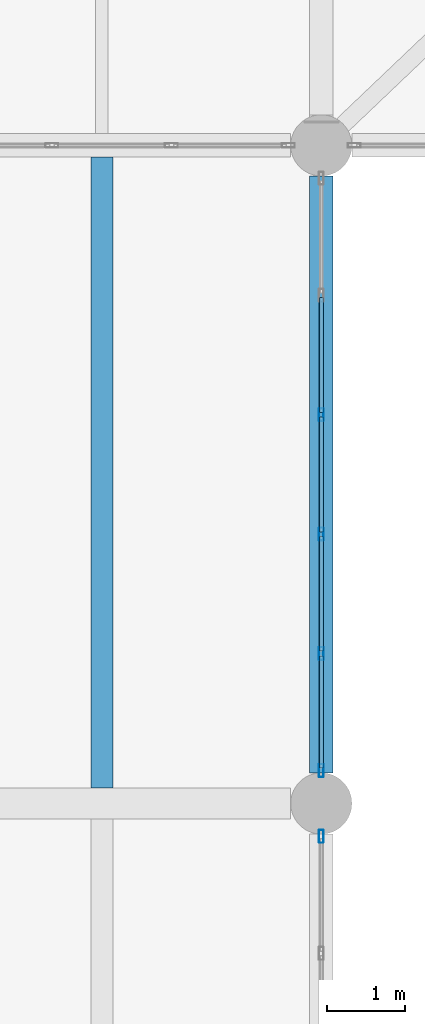
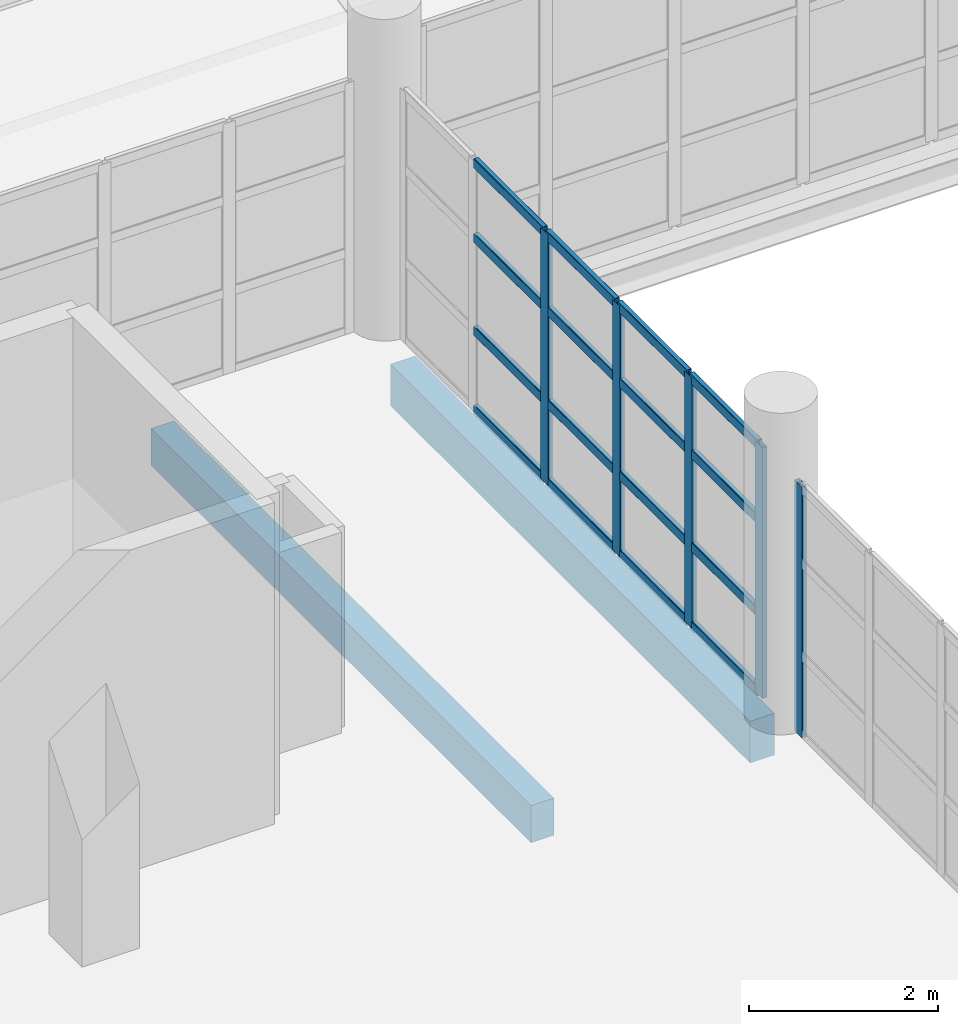
# One storey, part 96 of 177: 21 members, 2 beams, 2 elements without a shape of their own.
"""IFC4 building model written with IfcOpenShell, lengths in metres."""

from ifc_helpers import new_model, si_unit, direction, frame, origin, origin_2d, place, context, subcontext, project, spatial, rectangle, hollow_rectangle, extrude, material, layer, layer_set, material_profile, profile_set, type_object, element, aggregate, save


model = new_model("IFC4")

# Units and contexts
model_context = context("Model", 3, precision=1e-05, world=origin(), true_north=direction((0.0, 1.0)))
body_context = subcontext(model_context, "Body", "Model", "MODEL_VIEW")
ifc_project = project(units=[si_unit("LENGTHUNIT", "METRE"), si_unit("AREAUNIT", "SQUARE_METRE"), si_unit("VOLUMEUNIT", "CUBIC_METRE"), si_unit("PLANEANGLEUNIT", "RADIAN"), si_unit("MASSUNIT", "GRAM", prefix="KILO"), si_unit("THERMODYNAMICTEMPERATUREUNIT", "KELVIN"), si_unit("POWERUNIT", "WATT")], contexts=[model_context])

# Site, building, storey
site_placement = place(None, origin())
site = spatial("IfcSite", under=ifc_project, at=site_placement, CompositionType="ELEMENT")
building_placement = place(site_placement, origin())
building = spatial("IfcBuilding", under=site, at=building_placement, Name="Mavoryth Pier Ferry Terminal", CompositionType="ELEMENT")
storey_placement = place(building_placement, frame((0.0, 0.0, 5.43994140625)))
storey = spatial("IfcBuildingStorey", under=building, at=storey_placement, Name="L01", CompositionType="ELEMENT", Elevation=5.43994140625)

# Beam
ifc_material_1 = material(Name="Concrete C35/45", Category="concrete")
ifc_material_profile_1 = material_profile(ifc_material_1, rectangle(XDim=0.280029296875, YDim=0.47998046875, at=origin_2d()), Name="RC 280x480", Category="concrete")
ifc_profile_set_1 = profile_set([ifc_material_profile_1], Name="Concrete C35/45 - RC 280x480")
beam_type_1 = type_object("IfcBeamType", Name="Joist-RC-280x480", PredefinedType="JOIST", material=ifc_profile_set_1)
beam_1_placement = place(storey_placement, frame((89.60009765625, 97.800048828125, -0.52001953125), z_axis=(0.0, 1.0, 0.0), x_axis=(-1.0, 0.0, 0.0)))
element("IfcBeam", 1, at=beam_1_placement, inside=storey, type_object=beam_type_1, Name="Beam B01-BJ02-0258", PredefinedType="JOIST", context=body_context, shape_type="SweptSolid", body=[
    extrude(rectangle(XDim=0.280029296875, YDim=0.47998046875, at=origin_2d()), origin(), (0.0, 0.0, 1.0), 8.050048828125),
])

# Curtain wall, member
ifc_material_2 = material(Name="Anodised Aluminium and Solar-Control Low-E Glass", Category="aluminium")
ifc_layer = layer(ifc_material_2, 0.159912109375, Name="Anodised Aluminium and Solar-Control Low-E Glass", Category="aluminium")
ifc_layer_set = layer_set([ifc_layer], Name="Anodised Aluminium and Solar-Control Low-E Glass - CW-Arrivals-Mod1400")
curtain_wall_type = type_object("IfcCurtainWallType", Name="CW-Arrivals-Mod1400", PredefinedType="USERDEFINED", material=ifc_layer_set)
curtain_wall_1_placement = place(storey_placement, origin())
curtain_wall_1 = element("IfcCurtainWall", 2, at=curtain_wall_1_placement, inside=storey, type_object=curtain_wall_type, Name="Curtain Wall CW-0122-068", ObjectType="UNITISED CURTAIN WALL", PredefinedType="USERDEFINED")
ifc_material_3 = material(Name="Anodised Aluminium EN AW-6063", Category="aluminium")
ifc_material_profile_2 = material_profile(ifc_material_3, hollow_rectangle(XDim=0.06005859375, YDim=0.1650390625, WallThickness=0.00390625, InnerFilletRadius=0.00390625, OuterFilletRadius=0.008056640625, at=origin_2d()), Name="AL-MULL 165x60x4", Category="aluminium")
ifc_profile_set_2 = profile_set([ifc_material_profile_2], Name="Anodised Aluminium EN AW-6063 - AL-MULL 165x60x4")
member_type_1 = type_object("IfcMemberType", Name="Mullion-Alum-165x60", PredefinedType="MULLION", material=ifc_profile_set_2)
member_1_placement = place(storey_placement, frame((92.39990234375, 97.179931640625, 0.0), z_axis=(0.0, 0.0, 1.0), x_axis=(-1.0, 0.0, 0.0)))
member_1 = element("IfcMember", 3, at=member_1_placement, type_object=member_type_1, Name="CW04 mullion 6", PredefinedType="MULLION", context=body_context, shape_type="SweptSolid", body=[
    extrude(hollow_rectangle(XDim=0.06005859375, YDim=0.1650390625, WallThickness=0.00390625, InnerFilletRadius=0.00390625, OuterFilletRadius=0.008056640625, at=origin_2d()), origin(), (0.0, 0.0, 1.0), 3.2451171875),
])
aggregate(curtain_wall_1, [member_1])

# Curtain wall, members
curtain_wall_2_placement = place(storey_placement, origin())
curtain_wall_2 = element("IfcCurtainWall", 4, at=curtain_wall_2_placement, inside=storey, type_object=curtain_wall_type, Name="Curtain Wall CW-0122-070", ObjectType="UNITISED CURTAIN WALL", PredefinedType="USERDEFINED")
member_2_placement = place(storey_placement, frame((92.39990234375, 98.02001953125, 0.0), z_axis=(0.0, 0.0, 1.0), x_axis=(-1.0, 0.0, 0.0)))
member_2 = element("IfcMember", 5, at=member_2_placement, type_object=member_type_1, Name="CW04 mullion 1", PredefinedType="MULLION", context=body_context, shape_type="SweptSolid", body=[
    extrude(hollow_rectangle(XDim=0.06005859375, YDim=0.1650390625, WallThickness=0.00390625, InnerFilletRadius=0.00390625, OuterFilletRadius=0.008056640625, at=origin_2d()), origin(), (0.0, 0.0, 1.0), 3.2451171875),
])
member_3_placement = place(storey_placement, frame((92.39990234375, 99.513916015625, 0.0), z_axis=(0.0, 0.0, 1.0), x_axis=(-1.0, 0.0, 0.0)))
member_3 = element("IfcMember", 6, at=member_3_placement, type_object=member_type_1, Name="CW04 mullion 2", PredefinedType="MULLION", context=body_context, shape_type="SweptSolid", body=[
    extrude(hollow_rectangle(XDim=0.06005859375, YDim=0.1650390625, WallThickness=0.00390625, InnerFilletRadius=0.00390625, OuterFilletRadius=0.008056640625, at=origin_2d()), origin(), (0.0, 0.0, 1.0), 3.2451171875),
])
member_4_placement = place(storey_placement, frame((92.39990234375, 101.0380859375, 0.0), z_axis=(0.0, 0.0, 1.0), x_axis=(-1.0, 0.0, 0.0)))
member_4 = element("IfcMember", 7, at=member_4_placement, type_object=member_type_1, Name="CW04 mullion 3", PredefinedType="MULLION", context=body_context, shape_type="SweptSolid", body=[
    extrude(hollow_rectangle(XDim=0.06005859375, YDim=0.1650390625, WallThickness=0.00390625, InnerFilletRadius=0.00390625, OuterFilletRadius=0.008056640625, at=origin_2d()), origin(), (0.0, 0.0, 1.0), 3.2451171875),
])
member_5_placement = place(storey_placement, frame((92.39990234375, 102.56201171875, 0.0), z_axis=(0.0, 0.0, 1.0), x_axis=(-1.0, 0.0, 0.0)))
member_5 = element("IfcMember", 8, at=member_5_placement, type_object=member_type_1, Name="CW04 mullion 4", PredefinedType="MULLION", context=body_context, shape_type="SweptSolid", body=[
    extrude(hollow_rectangle(XDim=0.06005859375, YDim=0.1650390625, WallThickness=0.00390625, InnerFilletRadius=0.00390625, OuterFilletRadius=0.008056640625, at=origin_2d()), origin(), (0.0, 0.0, 1.0), 3.2451171875),
])

# Beam
ifc_material_profile_3 = material_profile(ifc_material_1, rectangle(XDim=0.300048828125, YDim=0.5400390625, at=origin_2d()), Name="RC 300x540", Category="concrete")
ifc_profile_set_3 = profile_set([ifc_material_profile_3], Name="Concrete C35/45 - RC 300x540")
beam_type_2 = type_object("IfcBeamType", Name="Spandrel-RC-300x540", PredefinedType="SPANDREL", material=ifc_profile_set_3)
beam_2_placement = place(storey_placement, frame((92.39990234375, 97.989990234375, -0.550048828125), z_axis=(0.0, 1.0, 0.0), x_axis=(-1.0, 0.0, 0.0)))
element("IfcBeam", 9, at=beam_2_placement, inside=storey, type_object=beam_type_2, Name="Beam B01-SP02-0226", PredefinedType="SPANDREL", context=body_context, shape_type="SweptSolid", body=[
    extrude(rectangle(XDim=0.300048828125, YDim=0.5400390625, at=origin_2d()), origin(), (0.0, 0.0, 1.0), 7.6201171875),
])

# Member
ifc_material_profile_4 = material_profile(ifc_material_3, hollow_rectangle(XDim=0.06005859375, YDim=0.125, WallThickness=0.00390625, InnerFilletRadius=0.00390625, OuterFilletRadius=0.008056640625, at=origin_2d()), Name="AL-TRAN 125x60x4", Category="aluminium")
ifc_profile_set_4 = profile_set([ifc_material_profile_4], Name="Anodised Aluminium EN AW-6063 - AL-TRAN 125x60x4")
member_type_2 = type_object("IfcMemberType", Name="Transom-Alum-125x60", PredefinedType="USERDEFINED", material=ifc_profile_set_4)
member_6_placement = place(storey_placement, frame((92.39990234375, 98.050048828125, 0.030029296875), z_axis=(0.0, 1.0, 0.0), x_axis=(-1.0, 0.0, 0.0)))
member_6 = element("IfcMember", 10, at=member_6_placement, type_object=member_type_2, Name="CW04 transom 1.1", ObjectType="TRANSOM", PredefinedType="USERDEFINED", context=body_context, shape_type="SweptSolid", body=[
    extrude(hollow_rectangle(XDim=0.06005859375, YDim=0.125, WallThickness=0.00390625, InnerFilletRadius=0.00390625, OuterFilletRadius=0.008056640625, at=origin_2d()), origin(), (0.0, 0.0, 1.0), 1.433837890625),
])

member_7_placement = place(storey_placement, frame((92.39990234375, 98.050048828125, 1.050048828125), z_axis=(0.0, 1.0, 0.0), x_axis=(-1.0, 0.0, 0.0)))
member_7 = element("IfcMember", 11, at=member_7_placement, type_object=member_type_2, Name="CW04 transom 1.2", ObjectType="TRANSOM", PredefinedType="USERDEFINED", context=body_context, shape_type="SweptSolid", body=[
    extrude(hollow_rectangle(XDim=0.06005859375, YDim=0.125, WallThickness=0.00390625, InnerFilletRadius=0.00390625, OuterFilletRadius=0.008056640625, at=origin_2d()), origin(), (0.0, 0.0, 1.0), 1.433837890625),
])

member_8_placement = place(storey_placement, frame((92.39990234375, 98.050048828125, 2.25), z_axis=(0.0, 1.0, 0.0), x_axis=(-1.0, 0.0, 0.0)))
member_8 = element("IfcMember", 12, at=member_8_placement, type_object=member_type_2, Name="CW04 transom 1.3", ObjectType="TRANSOM", PredefinedType="USERDEFINED", context=body_context, shape_type="SweptSolid", body=[
    extrude(hollow_rectangle(XDim=0.06005859375, YDim=0.125, WallThickness=0.00390625, InnerFilletRadius=0.00390625, OuterFilletRadius=0.008056640625, at=origin_2d()), origin(), (0.0, 0.0, 1.0), 1.433837890625),
])

member_9_placement = place(storey_placement, frame((92.39990234375, 98.050048828125, 3.215087890625), z_axis=(0.0, 1.0, 0.0), x_axis=(-1.0, 0.0, 0.0)))
member_9 = element("IfcMember", 13, at=member_9_placement, type_object=member_type_2, Name="CW04 transom 1.4", ObjectType="TRANSOM", PredefinedType="USERDEFINED", context=body_context, shape_type="SweptSolid", body=[
    extrude(hollow_rectangle(XDim=0.06005859375, YDim=0.125, WallThickness=0.00390625, InnerFilletRadius=0.00390625, OuterFilletRadius=0.008056640625, at=origin_2d()), origin(), (0.0, 0.0, 1.0), 1.433837890625),
])

member_10_placement = place(storey_placement, frame((92.39990234375, 99.5439453125, 0.030029296875), z_axis=(0.0, 1.0, 0.0), x_axis=(-1.0, 0.0, 0.0)))
member_10 = element("IfcMember", 14, at=member_10_placement, type_object=member_type_2, Name="CW04 transom 2.1", ObjectType="TRANSOM", PredefinedType="USERDEFINED", context=body_context, shape_type="SweptSolid", body=[
    extrude(hollow_rectangle(XDim=0.06005859375, YDim=0.125, WallThickness=0.00390625, InnerFilletRadius=0.00390625, OuterFilletRadius=0.008056640625, at=origin_2d()), origin(), (0.0, 0.0, 1.0), 1.464111328125),
])

member_11_placement = place(storey_placement, frame((92.39990234375, 99.5439453125, 1.050048828125), z_axis=(0.0, 1.0, 0.0), x_axis=(-1.0, 0.0, 0.0)))
member_11 = element("IfcMember", 15, at=member_11_placement, type_object=member_type_2, Name="CW04 transom 2.2", ObjectType="TRANSOM", PredefinedType="USERDEFINED", context=body_context, shape_type="SweptSolid", body=[
    extrude(hollow_rectangle(XDim=0.06005859375, YDim=0.125, WallThickness=0.00390625, InnerFilletRadius=0.00390625, OuterFilletRadius=0.008056640625, at=origin_2d()), origin(), (0.0, 0.0, 1.0), 1.464111328125),
])

member_12_placement = place(storey_placement, frame((92.39990234375, 99.5439453125, 2.25), z_axis=(0.0, 1.0, 0.0), x_axis=(-1.0, 0.0, 0.0)))
member_12 = element("IfcMember", 16, at=member_12_placement, type_object=member_type_2, Name="CW04 transom 2.3", ObjectType="TRANSOM", PredefinedType="USERDEFINED", context=body_context, shape_type="SweptSolid", body=[
    extrude(hollow_rectangle(XDim=0.06005859375, YDim=0.125, WallThickness=0.00390625, InnerFilletRadius=0.00390625, OuterFilletRadius=0.008056640625, at=origin_2d()), origin(), (0.0, 0.0, 1.0), 1.464111328125),
])

member_13_placement = place(storey_placement, frame((92.39990234375, 99.5439453125, 3.215087890625), z_axis=(0.0, 1.0, 0.0), x_axis=(-1.0, 0.0, 0.0)))
member_13 = element("IfcMember", 17, at=member_13_placement, type_object=member_type_2, Name="CW04 transom 2.4", ObjectType="TRANSOM", PredefinedType="USERDEFINED", context=body_context, shape_type="SweptSolid", body=[
    extrude(hollow_rectangle(XDim=0.06005859375, YDim=0.125, WallThickness=0.00390625, InnerFilletRadius=0.00390625, OuterFilletRadius=0.008056640625, at=origin_2d()), origin(), (0.0, 0.0, 1.0), 1.464111328125),
])

member_14_placement = place(storey_placement, frame((92.39990234375, 101.068115234375, 0.030029296875), z_axis=(0.0, 1.0, 0.0), x_axis=(-1.0, 0.0, 0.0)))
member_14 = element("IfcMember", 18, at=member_14_placement, type_object=member_type_2, Name="CW04 transom 3.1", ObjectType="TRANSOM", PredefinedType="USERDEFINED", context=body_context, shape_type="SweptSolid", body=[
    extrude(hollow_rectangle(XDim=0.06005859375, YDim=0.125, WallThickness=0.00390625, InnerFilletRadius=0.00390625, OuterFilletRadius=0.008056640625, at=origin_2d()), origin(), (0.0, 0.0, 1.0), 1.4638671875),
])

member_15_placement = place(storey_placement, frame((92.39990234375, 101.068115234375, 1.050048828125), z_axis=(0.0, 1.0, 0.0), x_axis=(-1.0, 0.0, 0.0)))
member_15 = element("IfcMember", 19, at=member_15_placement, type_object=member_type_2, Name="CW04 transom 3.2", ObjectType="TRANSOM", PredefinedType="USERDEFINED", context=body_context, shape_type="SweptSolid", body=[
    extrude(hollow_rectangle(XDim=0.06005859375, YDim=0.125, WallThickness=0.00390625, InnerFilletRadius=0.00390625, OuterFilletRadius=0.008056640625, at=origin_2d()), origin(), (0.0, 0.0, 1.0), 1.4638671875),
])

member_16_placement = place(storey_placement, frame((92.39990234375, 101.068115234375, 2.25), z_axis=(0.0, 1.0, 0.0), x_axis=(-1.0, 0.0, 0.0)))
member_16 = element("IfcMember", 20, at=member_16_placement, type_object=member_type_2, Name="CW04 transom 3.3", ObjectType="TRANSOM", PredefinedType="USERDEFINED", context=body_context, shape_type="SweptSolid", body=[
    extrude(hollow_rectangle(XDim=0.06005859375, YDim=0.125, WallThickness=0.00390625, InnerFilletRadius=0.00390625, OuterFilletRadius=0.008056640625, at=origin_2d()), origin(), (0.0, 0.0, 1.0), 1.4638671875),
])

member_17_placement = place(storey_placement, frame((92.39990234375, 101.068115234375, 3.215087890625), z_axis=(0.0, 1.0, 0.0), x_axis=(-1.0, 0.0, 0.0)))
member_17 = element("IfcMember", 21, at=member_17_placement, type_object=member_type_2, Name="CW04 transom 3.4", ObjectType="TRANSOM", PredefinedType="USERDEFINED", context=body_context, shape_type="SweptSolid", body=[
    extrude(hollow_rectangle(XDim=0.06005859375, YDim=0.125, WallThickness=0.00390625, InnerFilletRadius=0.00390625, OuterFilletRadius=0.008056640625, at=origin_2d()), origin(), (0.0, 0.0, 1.0), 1.4638671875),
])

member_18_placement = place(storey_placement, frame((92.39990234375, 102.592041015625, 0.030029296875), z_axis=(0.0, 1.0, 0.0), x_axis=(-1.0, 0.0, 0.0)))
member_18 = element("IfcMember", 22, at=member_18_placement, type_object=member_type_2, Name="CW04 transom 4.1", ObjectType="TRANSOM", PredefinedType="USERDEFINED", context=body_context, shape_type="SweptSolid", body=[
    extrude(hollow_rectangle(XDim=0.06005859375, YDim=0.125, WallThickness=0.00390625, InnerFilletRadius=0.00390625, OuterFilletRadius=0.008056640625, at=origin_2d()), origin(), (0.0, 0.0, 1.0), 1.4638671875),
])

member_19_placement = place(storey_placement, frame((92.39990234375, 102.592041015625, 1.050048828125), z_axis=(0.0, 1.0, 0.0), x_axis=(-1.0, 0.0, 0.0)))
member_19 = element("IfcMember", 23, at=member_19_placement, type_object=member_type_2, Name="CW04 transom 4.2", ObjectType="TRANSOM", PredefinedType="USERDEFINED", context=body_context, shape_type="SweptSolid", body=[
    extrude(hollow_rectangle(XDim=0.06005859375, YDim=0.125, WallThickness=0.00390625, InnerFilletRadius=0.00390625, OuterFilletRadius=0.008056640625, at=origin_2d()), origin(), (0.0, 0.0, 1.0), 1.4638671875),
])

member_20_placement = place(storey_placement, frame((92.39990234375, 102.592041015625, 2.25), z_axis=(0.0, 1.0, 0.0), x_axis=(-1.0, 0.0, 0.0)))
member_20 = element("IfcMember", 24, at=member_20_placement, type_object=member_type_2, Name="CW04 transom 4.3", ObjectType="TRANSOM", PredefinedType="USERDEFINED", context=body_context, shape_type="SweptSolid", body=[
    extrude(hollow_rectangle(XDim=0.06005859375, YDim=0.125, WallThickness=0.00390625, InnerFilletRadius=0.00390625, OuterFilletRadius=0.008056640625, at=origin_2d()), origin(), (0.0, 0.0, 1.0), 1.4638671875),
])

member_21_placement = place(storey_placement, frame((92.39990234375, 102.592041015625, 3.215087890625), z_axis=(0.0, 1.0, 0.0), x_axis=(-1.0, 0.0, 0.0)))
member_21 = element("IfcMember", 25, at=member_21_placement, type_object=member_type_2, Name="CW04 transom 4.4", ObjectType="TRANSOM", PredefinedType="USERDEFINED", context=body_context, shape_type="SweptSolid", body=[
    extrude(hollow_rectangle(XDim=0.06005859375, YDim=0.125, WallThickness=0.00390625, InnerFilletRadius=0.00390625, OuterFilletRadius=0.008056640625, at=origin_2d()), origin(), (0.0, 0.0, 1.0), 1.4638671875),
])

aggregate(curtain_wall_2, [member_2, member_3, member_4, member_5, member_6, member_7, member_8, member_9, member_10, member_11, member_12, member_13, member_14, member_15, member_16, member_17, member_18, member_19, member_20, member_21])

save(model, "model.ifc")
